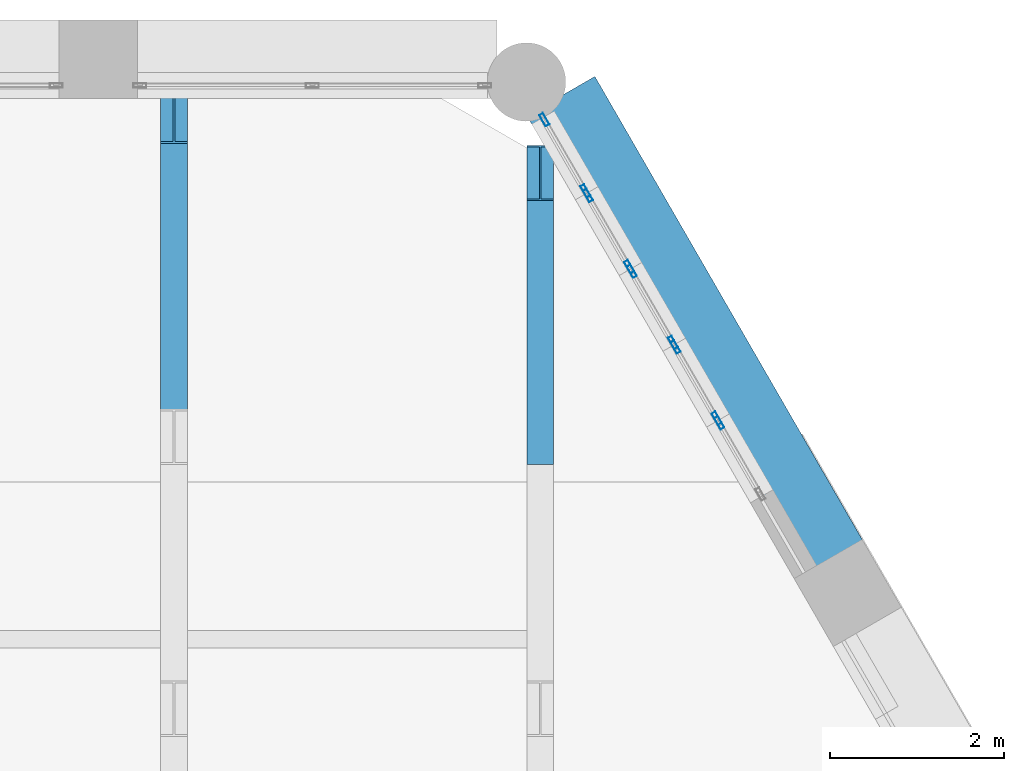
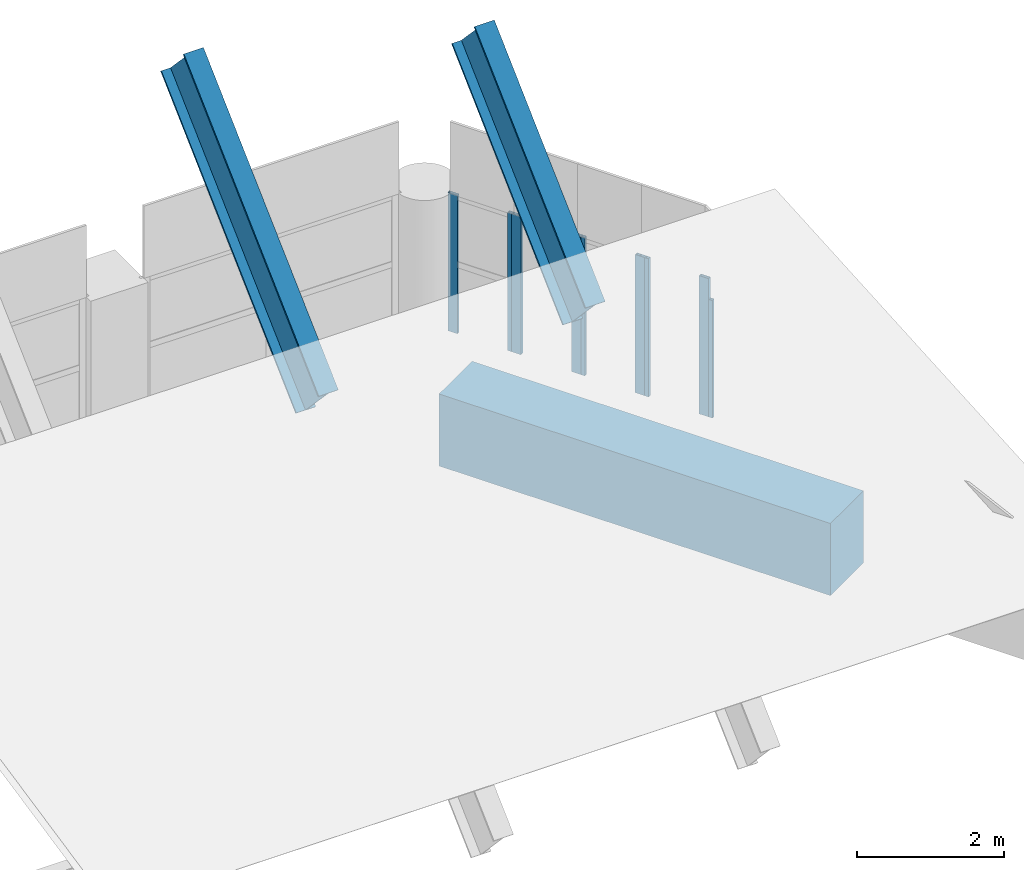
# One storey, part 7 of 11: 11 members, 1 beam, 5 elements without a shape of their own.
"""IFC4 building model written with IfcOpenShell, lengths in metres."""

from ifc_helpers import new_model, si_unit, direction, frame, origin, origin_2d, place, context, subcontext, project, spatial, rectangle, hollow_rectangle, i_section, extrude, material, material_profile, profile_set, type_object, element, aggregate, save


model = new_model("IFC4")

# Units and contexts
model_context = context("Model", 3, precision=1e-05, world=origin(), true_north=direction((0.0, 1.0)))
body_context = subcontext(model_context, "Body", "Model", "MODEL_VIEW")
ifc_project = project(units=[si_unit("LENGTHUNIT", "METRE"), si_unit("AREAUNIT", "SQUARE_METRE"), si_unit("VOLUMEUNIT", "CUBIC_METRE"), si_unit("PLANEANGLEUNIT", "RADIAN"), si_unit("MASSUNIT", "GRAM", prefix="KILO")], contexts=[model_context])

# Site, building, storey
site_placement = place(None, origin())
site = spatial("IfcSite", under=ifc_project, at=site_placement, CompositionType="ELEMENT")
building_placement = place(site_placement, origin())
building = spatial("IfcBuilding", under=site, at=building_placement, Name="Ostrander Bayou Hotel Tower", CompositionType="ELEMENT")
storey_placement = place(building_placement, frame((0.0, 0.0, 297.5)))
storey = spatial("IfcBuildingStorey", under=building, at=storey_placement, Name="Roof 73", CompositionType="ELEMENT", Elevation=297.5)

# Members
ifc_material_1 = material(Name="Steel ASTM A992", Category="steel")
ifc_material_profile_1 = material_profile(ifc_material_1, i_section(OverallWidth=0.307861328125, OverallDepth=0.9267578125, WebThickness=0.01953125, FlangeThickness=0.031982421875, at=origin_2d()))
ifc_profile_set_1 = profile_set([ifc_material_profile_1], Name="Steel ASTM A992")
member_type_1 = type_object("IfcMemberType", Name="CR1 crown rafter W36x194", PredefinedType="RAFTER", material=ifc_profile_set_1)
member_1_placement = place(storey_placement, frame((4.199951171875, 12.52197265625, 3.51953125), z_axis=(0.0, 0.727930412157, 0.6856510155), x_axis=(-1.0, 0.0, 0.0)))
element("IfcMember", 1, at=member_1_placement, inside=storey, type_object=member_type_1, Name="CR1 R4-9", PredefinedType="RAFTER", context=body_context, shape_type="SweptSolid", body=[
    extrude(i_section(OverallWidth=0.307861328125, OverallDepth=0.9267578125, WebThickness=0.01953125, FlangeThickness=0.031982421875, at=origin_2d()), origin(), (0.0, 0.0, 1.0), 5.052734375),
])
member_2_placement = place(storey_placement, frame((8.39990234375, 12.52197265625, 3.51953125), z_axis=(0.0, 0.727918700584, 0.685663449033), x_axis=(-1.0, 0.0, 0.0)))
element("IfcMember", 2, at=member_2_placement, inside=storey, type_object=member_type_1, Name="CR1 R5-9", PredefinedType="RAFTER", context=body_context, shape_type="SweptSolid", body=[
    extrude(i_section(OverallWidth=0.307861328125, OverallDepth=0.9267578125, WebThickness=0.01953125, FlangeThickness=0.031982421875, at=origin_2d()), origin(), (0.0, 0.0, 1.0), 4.154296875),
])

# Curtain wall, member
ifc_material_2 = material(Name="Aluminium and clear glass", Category="aluminium")
curtain_wall_type = type_object("IfcCurtainWallType", Name="CW-CROWN glazed wall", PredefinedType="NOTDEFINED", material=ifc_material_2)
curtain_wall_1_placement = place(storey_placement, origin())
curtain_wall_1 = element("IfcCurtainWall", 3, at=curtain_wall_1_placement, inside=storey, type_object=curtain_wall_type, Name="CW-CROWN L73:NE-3-2", PredefinedType="NOTDEFINED")
ifc_material_3 = material(Name="Aluminium", Category="aluminium")
ifc_material_profile_2 = material_profile(ifc_material_3, hollow_rectangle(XDim=0.050048828125, YDim=0.14990234375, WallThickness=0.00390625, at=origin_2d()))
ifc_profile_set_2 = profile_set([ifc_material_profile_2], Name="Aluminium")
member_type_2 = type_object("IfcMemberType", Name="CW-CR mullion 50 x 150 mm", PredefinedType="MULLION", material=ifc_profile_set_2)
member_3_placement = place(storey_placement, frame((10.453369140625, 12.681396484375, 1.0), z_axis=(0.0, 0.0, 1.0), x_axis=(-0.866001306597, -0.50004173523, 0.0)))
member_3 = element("IfcMember", 4, at=member_3_placement, type_object=member_type_2, Name="CW-CROWN mullion 2", PredefinedType="MULLION", context=body_context, shape_type="SweptSolid", body=[
    extrude(hollow_rectangle(XDim=0.050048828125, YDim=0.14990234375, WallThickness=0.00390625, at=origin_2d()), origin(), (0.0, 0.0, 1.0), 1.9560546875),
])
aggregate(curtain_wall_1, [member_3])

# Curtain wall, members
curtain_wall_2_placement = place(storey_placement, origin())
curtain_wall_2 = element("IfcCurtainWall", 5, at=curtain_wall_2_placement, inside=storey, type_object=curtain_wall_type, Name="CW-CROWN L73:NE-3-3", PredefinedType="NOTDEFINED")
member_4_placement = place(storey_placement, frame((10.42333984375, 12.7333984375, 1.0), z_axis=(0.0, 0.0, 1.0), x_axis=(-0.866069391736, -0.499923802893, 0.0)))
member_4 = element("IfcMember", 6, at=member_4_placement, type_object=member_type_2, Name="CW-CROWN mullion 1", PredefinedType="MULLION", context=body_context, shape_type="SweptSolid", body=[
    extrude(hollow_rectangle(XDim=0.050048828125, YDim=0.14990234375, WallThickness=0.00390625, at=origin_2d()), origin(), (0.0, 0.0, 1.0), 2.300048828125),
])
member_5_placement = place(storey_placement, frame((9.951904296875, 13.550048828125, 1.0), z_axis=(0.0, 0.0, 1.0), x_axis=(-0.866069391736, -0.499923802893, 0.0)))
member_5 = element("IfcMember", 7, at=member_5_placement, type_object=member_type_2, Name="CW-CROWN mullion 2", PredefinedType="MULLION", context=body_context, shape_type="SweptSolid", body=[
    extrude(hollow_rectangle(XDim=0.050048828125, YDim=0.14990234375, WallThickness=0.00390625, at=origin_2d()), origin(), (0.0, 0.0, 1.0), 2.300048828125),
])
aggregate(curtain_wall_2, [member_4, member_5])

curtain_wall_3_placement = place(storey_placement, origin())
curtain_wall_3 = element("IfcCurtainWall", 8, at=curtain_wall_3_placement, inside=storey, type_object=curtain_wall_type, Name="CW-CROWN L73:NE-3-4", PredefinedType="NOTDEFINED")
member_6_placement = place(storey_placement, frame((9.921875, 13.60205078125, 1.0), z_axis=(0.0, 0.0, 1.0), x_axis=(-0.866026229865, -0.499998569184, 0.0)))
member_6 = element("IfcMember", 9, at=member_6_placement, type_object=member_type_2, Name="CW-CROWN mullion 1", PredefinedType="MULLION", context=body_context, shape_type="SweptSolid", body=[
    extrude(hollow_rectangle(XDim=0.050048828125, YDim=0.14990234375, WallThickness=0.00390625, at=origin_2d()), origin(), (0.0, 0.0, 1.0), 2.300048828125),
])
member_7_placement = place(storey_placement, frame((9.4501953125, 14.4189453125, 1.0), z_axis=(0.0, 0.0, 1.0), x_axis=(-0.866026229865, -0.499998569184, 0.0)))
member_7 = element("IfcMember", 10, at=member_7_placement, type_object=member_type_2, Name="CW-CROWN mullion 2", PredefinedType="MULLION", context=body_context, shape_type="SweptSolid", body=[
    extrude(hollow_rectangle(XDim=0.050048828125, YDim=0.14990234375, WallThickness=0.00390625, at=origin_2d()), origin(), (0.0, 0.0, 1.0), 2.300048828125),
])
aggregate(curtain_wall_3, [member_6, member_7])

curtain_wall_4_placement = place(storey_placement, origin())
curtain_wall_4 = element("IfcCurtainWall", 11, at=curtain_wall_4_placement, inside=storey, type_object=curtain_wall_type, Name="CW-CROWN L73:NE-3-5", PredefinedType="NOTDEFINED")
member_8_placement = place(storey_placement, frame((9.420166015625, 14.470947265625, 1.0), z_axis=(0.0, 0.0, 1.0), x_axis=(-0.866001306597, -0.50004173523, 0.0)))
member_8 = element("IfcMember", 12, at=member_8_placement, type_object=member_type_2, Name="CW-CROWN mullion 1", PredefinedType="MULLION", context=body_context, shape_type="SweptSolid", body=[
    extrude(hollow_rectangle(XDim=0.050048828125, YDim=0.14990234375, WallThickness=0.00390625, at=origin_2d()), origin(), (0.0, 0.0, 1.0), 2.300048828125),
])
member_9_placement = place(storey_placement, frame((8.948486328125, 15.28759765625, 1.0), z_axis=(0.0, 0.0, 1.0), x_axis=(-0.866001306597, -0.50004173523, 0.0)))
member_9 = element("IfcMember", 13, at=member_9_placement, type_object=member_type_2, Name="CW-CROWN mullion 2", PredefinedType="MULLION", context=body_context, shape_type="SweptSolid", body=[
    extrude(hollow_rectangle(XDim=0.050048828125, YDim=0.14990234375, WallThickness=0.00390625, at=origin_2d()), origin(), (0.0, 0.0, 1.0), 2.300048828125),
])
aggregate(curtain_wall_4, [member_8, member_9])

curtain_wall_5_placement = place(storey_placement, origin())
curtain_wall_5 = element("IfcCurtainWall", 14, at=curtain_wall_5_placement, inside=storey, type_object=curtain_wall_type, Name="CW-CROWN L73:NE-3-6", PredefinedType="NOTDEFINED")
member_10_placement = place(storey_placement, frame((8.918701171875, 15.339599609375, 1.0), z_axis=(0.0, 0.0, 1.0), x_axis=(-0.866026229865, -0.499998569184, 0.0)))
member_10 = element("IfcMember", 15, at=member_10_placement, type_object=member_type_2, Name="CW-CROWN mullion 1", PredefinedType="MULLION", context=body_context, shape_type="SweptSolid", body=[
    extrude(hollow_rectangle(XDim=0.050048828125, YDim=0.14990234375, WallThickness=0.00390625, at=origin_2d()), origin(), (0.0, 0.0, 1.0), 2.300048828125),
])
member_11_placement = place(storey_placement, frame((8.447021484375, 16.156494140625, 1.0), z_axis=(0.0, 0.0, 1.0), x_axis=(-0.866026229865, -0.499998569184, 0.0)))
member_11 = element("IfcMember", 16, at=member_11_placement, type_object=member_type_2, Name="CW-CROWN mullion 2", PredefinedType="MULLION", context=body_context, shape_type="SweptSolid", body=[
    extrude(hollow_rectangle(XDim=0.050048828125, YDim=0.14990234375, WallThickness=0.00390625, at=origin_2d()), origin(), (0.0, 0.0, 1.0), 2.300048828125),
])
aggregate(curtain_wall_5, [member_10, member_11])

# Beam
ifc_material_4 = material(Name="Concrete f'c 60 MPa", Category="concrete")
ifc_material_profile_3 = material_profile(ifc_material_4, rectangle(XDim=0.89990234375, YDim=1.199951171875, at=origin_2d()))
ifc_profile_set_3 = profile_set([ifc_material_profile_3], Name="Concrete f'c 60 MPa")
beam_type = type_object("IfcBeamType", Name="SP4 spandrel beam 900 x 1200 mm f'c 60 MPa", PredefinedType="SPANDREL", material=ifc_profile_set_3)
beam_placement = place(storey_placement, frame((11.71630859375, 11.09375, -0.60009765625), z_axis=(-0.499984362083, 0.866034432152, 0.0), x_axis=(-0.866034432152, -0.499984362083, 0.0)))
element("IfcBeam", 17, at=beam_placement, inside=storey, type_object=beam_type, Name="SP4 L73 NE-3", PredefinedType="SPANDREL", context=body_context, shape_type="SweptSolid", body=[
    extrude(rectangle(XDim=0.89990234375, YDim=1.199951171875, at=origin_2d()), origin(), (0.0, 0.0, 1.0), 6.159423828125),
])

save(model, "model.ifc")
